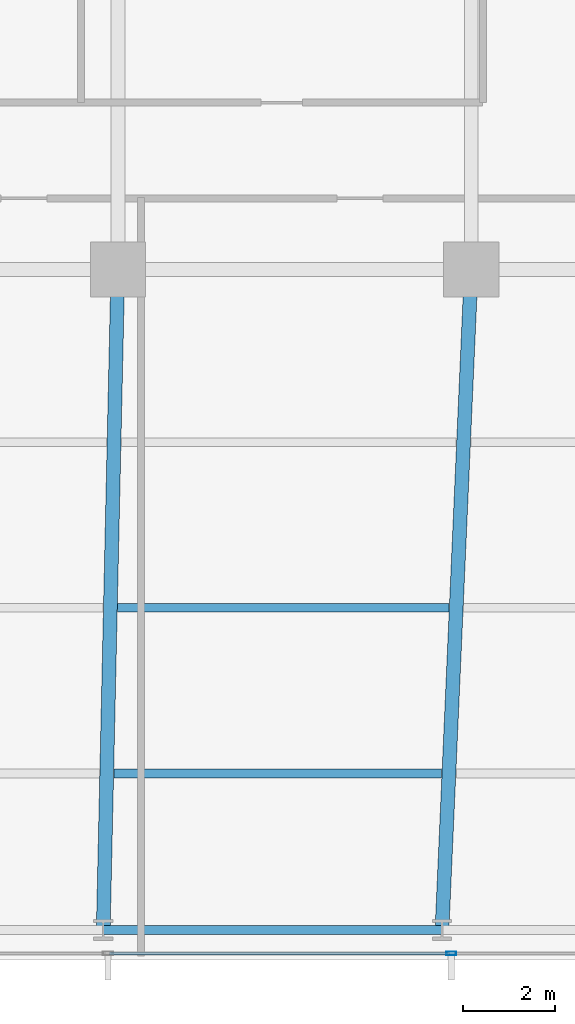
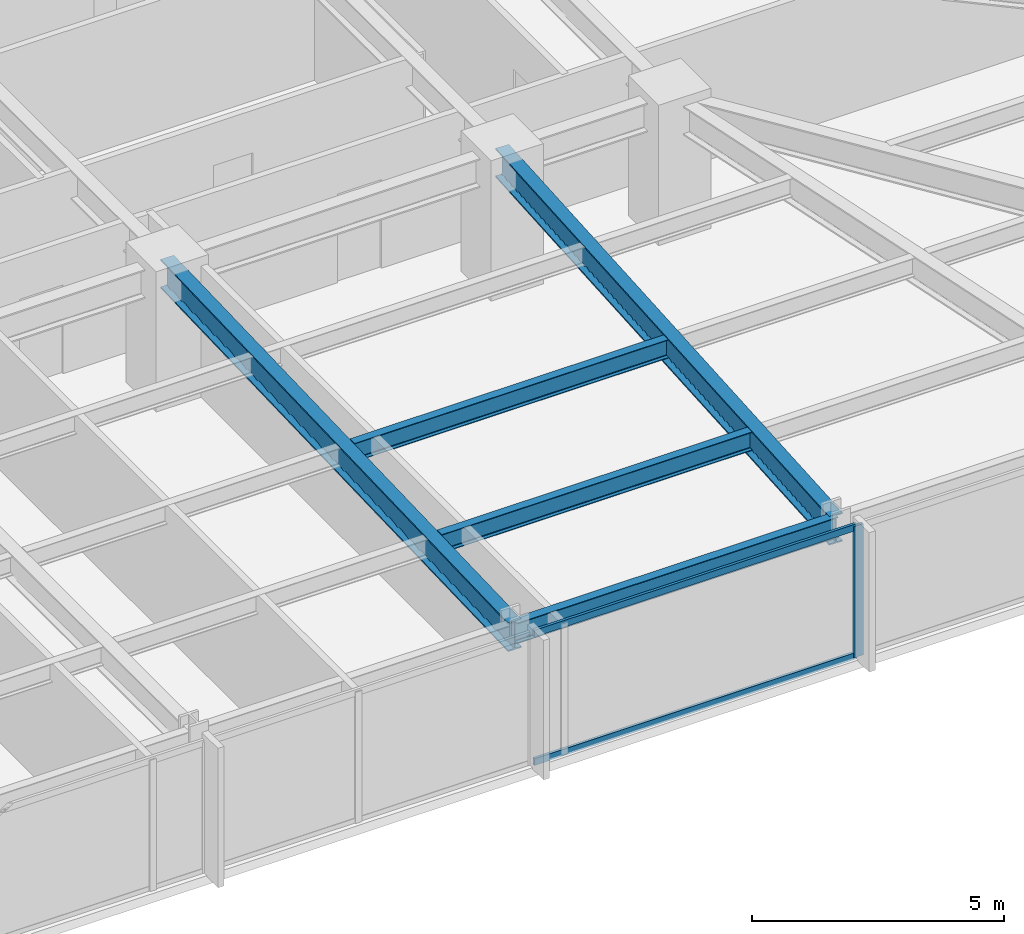
# One storey, part 12 of 33: 5 beams, 3 members, 1 element without a shape of its own.
"""IFC4 building model written with IfcOpenShell, lengths in metres."""

from ifc_helpers import new_model, si_unit, direction, frame, origin, origin_2d, place, context, subcontext, project, spatial, hollow_rectangle, i_section, extrude, material, material_profile, profile_set, type_object, element, aggregate, save


model = new_model("IFC4")

# Units and contexts
model_context = context("Model", 3, precision=1e-05, world=origin(), true_north=direction((0.0, 1.0)))
body_context = subcontext(model_context, "Body", "Model", "MODEL_VIEW")
ifc_project = project(units=[si_unit("LENGTHUNIT", "METRE"), si_unit("AREAUNIT", "SQUARE_METRE"), si_unit("VOLUMEUNIT", "CUBIC_METRE"), si_unit("PLANEANGLEUNIT", "RADIAN"), si_unit("MASSUNIT", "GRAM", prefix="KILO")], contexts=[model_context])

# Site, building, storey
site_placement = place(None, origin())
site = spatial("IfcSite", under=ifc_project, at=site_placement, CompositionType="ELEMENT")
building_placement = place(site_placement, origin())
building = spatial("IfcBuilding", under=site, at=building_placement, Name="Yelkora Congress Tower", CompositionType="ELEMENT")
storey_placement = place(building_placement, frame((0.0, 0.0, 54.199951171875)))
storey = spatial("IfcBuildingStorey", under=building, at=storey_placement, Name="L13", CompositionType="ELEMENT", Elevation=54.199951171875)

# Beams
ifc_material_1 = material(Name="Steel S355J2", Category="steel")
ifc_material_profile_1 = material_profile(ifc_material_1, i_section(OverallWidth=0.300048828125, OverallDepth=0.699951171875, WebThickness=0.01708984375, FlangeThickness=0.031982421875, FilletRadius=0.027099609375, at=origin_2d()), Name="HEB 700")
ifc_profile_set_1 = profile_set([ifc_material_profile_1], Name="Steel S355J2")
beam_type_1 = type_object("IfcBeamType", Name="BM-GIRD-HEB700", PredefinedType="BEAM", material=ifc_profile_set_1)
beam_1_placement = place(storey_placement, frame((45.762451171875, 10.85009765625, 2.830078125), z_axis=(0.022129088136, 0.999755121746, 0.0), x_axis=(-0.999755121746, 0.022129088136, 0.0)))
element("IfcBeam", 1, at=beam_1_placement, inside=storey, type_object=beam_type_1, Name="L13 Primary Frame Girder S06", PredefinedType="BEAM", context=body_context, shape_type="SweptSolid", body=[
    extrude(i_section(OverallWidth=0.300048828125, OverallDepth=0.699951171875, WebThickness=0.01708984375, FlangeThickness=0.031982421875, FilletRadius=0.027099609375, at=origin_2d()), origin(), (0.0, 0.0, 1.0), 14.353271484375),
])
beam_2_placement = place(storey_placement, frame((53.125, 10.85009765625, 2.830078125), z_axis=(0.044208738849, 0.999022315771, 0.0), x_axis=(-0.999022315771, 0.044208738849, 0.0)))
element("IfcBeam", 2, at=beam_2_placement, inside=storey, type_object=beam_type_1, Name="L13 Primary Frame Girder S07", PredefinedType="BEAM", context=body_context, shape_type="SweptSolid", body=[
    extrude(i_section(OverallWidth=0.300048828125, OverallDepth=0.699951171875, WebThickness=0.01708984375, FlangeThickness=0.031982421875, FilletRadius=0.027099609375, at=origin_2d()), origin(), (0.0, 0.0, 1.0), 14.364013671875),
])
ifc_material_profile_2 = material_profile(ifc_material_1, i_section(OverallWidth=0.18994140625, OverallDepth=0.449951171875, WebThickness=0.009521484375, FlangeThickness=0.0146484375, FilletRadius=0.02099609375, at=origin_2d()), Name="IPE 450")
ifc_profile_set_2 = profile_set([ifc_material_profile_2], Name="Steel S355J2")
beam_type_2 = type_object("IfcBeamType", Name="BM-JOIST-IPE450", PredefinedType="JOIST", material=ifc_profile_set_2)
beam_3_placement = place(storey_placement, frame((45.997802734375, 14.25, 2.955078125), z_axis=(1.0, 0.0, 0.0), x_axis=(0.0, 1.0, 0.0)))
element("IfcBeam", 3, at=beam_3_placement, inside=storey, type_object=beam_type_2, Name="L13 Composite Floor Joist 6", PredefinedType="JOIST", context=body_context, shape_type="SweptSolid", body=[
    extrude(i_section(OverallWidth=0.18994140625, OverallDepth=0.449951171875, WebThickness=0.009521484375, FlangeThickness=0.0146484375, FilletRadius=0.02099609375, at=origin_2d()), origin(), (0.0, 0.0, 1.0), 7.11767578125),
])
beam_4_placement = place(storey_placement, frame((46.077392578125, 17.85009765625, 2.955078125), z_axis=(1.0, 0.0, 0.0), x_axis=(0.0, 1.0, 0.0)))
element("IfcBeam", 4, at=beam_4_placement, inside=storey, type_object=beam_type_2, Name="L13 Composite Floor Joist 14", PredefinedType="JOIST", context=body_context, shape_type="SweptSolid", body=[
    extrude(i_section(OverallWidth=0.18994140625, OverallDepth=0.449951171875, WebThickness=0.009521484375, FlangeThickness=0.0146484375, FilletRadius=0.02099609375, at=origin_2d()), origin(), (0.0, 0.0, 1.0), 7.197509765625),
])
ifc_material_profile_3 = material_profile(ifc_material_1, i_section(OverallWidth=0.199951171875, OverallDepth=0.5, WebThickness=0.01025390625, FlangeThickness=0.01611328125, FilletRadius=0.02099609375, at=origin_2d()), Name="IPE 500")
ifc_profile_set_3 = profile_set([ifc_material_profile_3], Name="Steel S355J2")
beam_type_3 = type_object("IfcBeamType", Name="BM-SPAN-IPE500", PredefinedType="SPANDREL", material=ifc_profile_set_3)
beam_5_placement = place(storey_placement, frame((45.762451171875, 10.85009765625, 2.929931640625), z_axis=(1.0, 0.0, 0.0), x_axis=(0.0, 1.0, 0.0)))
element("IfcBeam", 5, at=beam_5_placement, inside=storey, type_object=beam_type_3, Name="L13 Perimeter Beam 7", PredefinedType="SPANDREL", context=body_context, shape_type="SweptSolid", body=[
    extrude(i_section(OverallWidth=0.199951171875, OverallDepth=0.5, WebThickness=0.01025390625, FlangeThickness=0.01611328125, FilletRadius=0.02099609375, at=origin_2d()), origin(), (0.0, 0.0, 1.0), 7.362548828125),
])

# Curtain wall, members
ifc_material_2 = material(Name="Anodised aluminium and insulated glass", Category="aluminium")
curtain_wall_type = type_object("IfcCurtainWallType", Name="CW-SYS-B1", PredefinedType="NOTDEFINED", material=ifc_material_2)
curtain_wall_placement = place(storey_placement, origin())
curtain_wall = element("IfcCurtainWall", 6, at=curtain_wall_placement, inside=storey, type_object=curtain_wall_type, Name="L13 Unitised Curtain Wall 20", PredefinedType="NOTDEFINED")
ifc_material_3 = material(Name="Anodised aluminium 6063-T6", Category="aluminium")
ifc_material_profile_4 = material_profile(ifc_material_3, hollow_rectangle(XDim=0.074951171875, YDim=0.219970703125, WallThickness=0.0048828125, at=origin_2d()), Name="ALU 75x220x5")
ifc_profile_set_4 = profile_set([ifc_material_profile_4], Name="Anodised aluminium 6063-T6")
member_type_1 = type_object("IfcMemberType", Name="MEM-ML-B1", PredefinedType="MULLION", material=ifc_profile_set_4)
member_1_placement = place(storey_placement, frame((53.330078125, 10.340087890625, 0.0), z_axis=(0.0, 0.0, 1.0), x_axis=(0.0, -1.0, 0.0)))
member_1 = element("IfcMember", 7, at=member_1_placement, type_object=member_type_1, Name="CW-B1 mullion 3", PredefinedType="MULLION", context=body_context, shape_type="SweptSolid", body=[
    extrude(hollow_rectangle(XDim=0.074951171875, YDim=0.219970703125, WallThickness=0.0048828125, at=origin_2d()), origin(), (0.0, 0.0, 1.0), 3.179931640625),
])
ifc_material_profile_5 = material_profile(ifc_material_3, hollow_rectangle(XDim=0.06494140625, YDim=0.159912109375, WallThickness=0.00390625, at=origin_2d()), Name="ALU 65x160x4")
ifc_profile_set_5 = profile_set([ifc_material_profile_5], Name="Anodised aluminium 6063-T6")
member_type_2 = type_object("IfcMemberType", Name="MEM-TR-B1", PredefinedType="USERDEFINED", material=ifc_profile_set_5)
member_2_placement = place(storey_placement, frame((53.29248046875, 10.340087890625, 0.032470703125), z_axis=(-1.0, 0.0, 0.0), x_axis=(0.0, -1.0, 0.0)))
member_2 = element("IfcMember", 8, at=member_2_placement, type_object=member_type_2, Name="CW-B1 transom 3.1", ObjectType="TRANSOM", PredefinedType="USERDEFINED", context=body_context, shape_type="SweptSolid", body=[
    extrude(hollow_rectangle(XDim=0.06494140625, YDim=0.159912109375, WallThickness=0.00390625, at=origin_2d()), origin(), (0.0, 0.0, 1.0), 7.389892578125),
])
member_3_placement = place(storey_placement, frame((53.29248046875, 10.340087890625, 3.1474609375), z_axis=(-1.0, 0.0, 0.0), x_axis=(0.0, -1.0, 0.0)))
member_3 = element("IfcMember", 9, at=member_3_placement, type_object=member_type_2, Name="CW-B1 transom 3.2", ObjectType="TRANSOM", PredefinedType="USERDEFINED", context=body_context, shape_type="SweptSolid", body=[
    extrude(hollow_rectangle(XDim=0.06494140625, YDim=0.159912109375, WallThickness=0.00390625, at=origin_2d()), origin(), (0.0, 0.0, 1.0), 7.389892578125),
])
aggregate(curtain_wall, [member_1, member_2, member_3])

save(model, "model.ifc")
